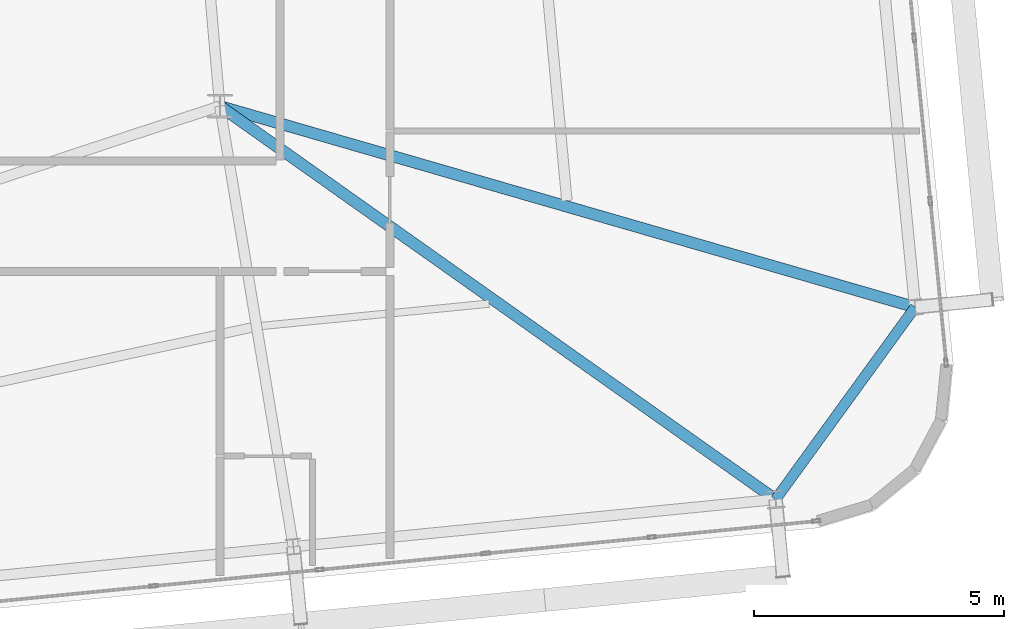
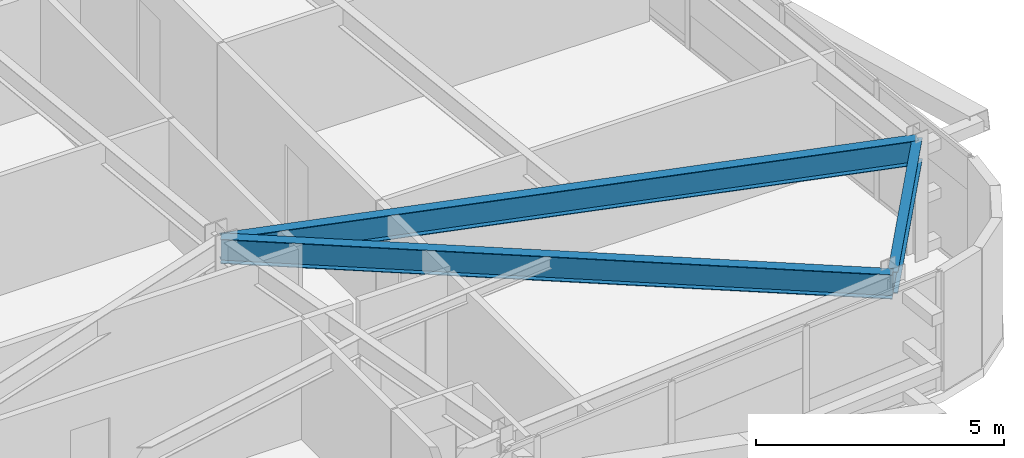
# One storey, part 21 of 52: 3 beams.
"""IFC4 building model written with IfcOpenShell, lengths in metres."""

from ifc_helpers import new_model, si_unit, direction, frame, origin, origin_2d, place, context, subcontext, project, spatial, i_section, extrude, source, transform, mapped, material, material_profile, profile_set, type_object, element, save


model = new_model("IFC4")

# Units and contexts
model_context = context("Model", 3, precision=1e-05, world=origin(), true_north=direction((0.0, 1.0)))
body_context = subcontext(model_context, "Body", "Model", "MODEL_VIEW")
ifc_project = project(units=[si_unit("LENGTHUNIT", "METRE"), si_unit("AREAUNIT", "SQUARE_METRE"), si_unit("VOLUMEUNIT", "CUBIC_METRE"), si_unit("PLANEANGLEUNIT", "RADIAN"), si_unit("MASSUNIT", "GRAM", prefix="KILO")], contexts=[model_context])

# Site, building, storey
site_placement = place(None, origin())
site = spatial("IfcSite", under=ifc_project, at=site_placement, CompositionType="ELEMENT")
building_placement = place(site_placement, origin())
building = spatial("IfcBuilding", under=site, at=building_placement, Name="Taldren Reach Tower", CompositionType="ELEMENT")
storey_placement = place(building_placement, frame((0.0, 0.0, 77.699951171875)))
storey = spatial("IfcBuildingStorey", under=building, at=storey_placement, Name="L23", CompositionType="ELEMENT", Elevation=77.699951171875)

# Beams
ifc_material = material(Name="Steel Gr 350 (350PLUS)", Category="steel")
ifc_material_profile_1 = material_profile(ifc_material, i_section(OverallWidth=0.208984375, OverallDepth=0.528076171875, WebThickness=0.009521484375, FlangeThickness=0.01318359375, at=origin_2d()), Name="530UB82.0")
ifc_profile_set_1 = profile_set([ifc_material_profile_1], Name="Steel Gr 350 (350PLUS)")
beam_type_1 = type_object("IfcBeamType", Name="SP-UB530B", PredefinedType="SPANDREL", material=ifc_profile_set_1)
shared_shape_1 = source(origin(), body_context, "Body", "SweptSolid", [
    extrude(i_section(OverallWidth=0.208984375, OverallDepth=0.528076171875, WebThickness=0.009521484375, FlangeThickness=0.01318359375, at=origin_2d()), origin(), (0.0, 0.0, 1.0), 4.74609375),
])
beam_1_placement = place(storey_placement, frame((63.103271484375, 4.64306640625, 2.666015625), z_axis=(0.58750777154, 0.809218523255, 0.0), x_axis=(-0.809218523255, 0.58750777154, 0.0)))
element("IfcBeam", 1, at=beam_1_placement, inside=storey, type_object=beam_type_1, Name="Perimeter spandrel B2 S6-E1 L23", PredefinedType="SPANDREL", context=body_context, shape_type="MappedRepresentation", body=[
    mapped(shared_shape_1, transform((0.0, 0.0, 0.0), scale=1.0)),
])
ifc_material_profile_2 = material_profile(ifc_material, i_section(OverallWidth=0.22802734375, OverallDepth=0.60205078125, WebThickness=0.010498046875, FlangeThickness=0.014892578125, at=origin_2d()), Name="610UB101")
ifc_profile_set_2 = profile_set([ifc_material_profile_2], Name="Steel Gr 350 (350PLUS)")
beam_type_2 = type_object("IfcBeamType", Name="BM-UB610B", PredefinedType="BEAM", material=ifc_profile_set_2)
shared_shape_2 = source(origin(), body_context, "Body", "SweptSolid", [
    extrude(i_section(OverallWidth=0.22802734375, OverallDepth=0.60205078125, WebThickness=0.010498046875, FlangeThickness=0.014892578125, at=origin_2d()), origin(), (0.0, 0.0, 1.0), 13.60205078125),
])
beam_2_placement = place(storey_placement, frame((52.0, 12.5, 2.629150390625), z_axis=(0.816297773281, -0.577631323022, 0.0), x_axis=(0.577631323022, 0.816297773281, 0.0)))
element("IfcBeam", 2, at=beam_2_placement, inside=storey, type_object=beam_type_2, Name="Primary floor girder B2-S6 L23", PredefinedType="BEAM", context=body_context, shape_type="MappedRepresentation", body=[
    mapped(shared_shape_2, transform((0.0, 0.0, 0.0), scale=1.0)),
])
shared_shape_3 = source(origin(), body_context, "Body", "SweptSolid", [
    extrude(i_section(OverallWidth=0.22802734375, OverallDepth=0.60205078125, WebThickness=0.010498046875, FlangeThickness=0.014892578125, at=origin_2d()), origin(), (0.0, 0.0, 1.0), 14.46044921875),
])
beam_3_placement = place(storey_placement, frame((52.0, 12.5, 2.629150390625), z_axis=(0.960654638583, -0.277745684698, 0.0), x_axis=(0.277745684698, 0.960654638583, 0.0)))
element("IfcBeam", 3, at=beam_3_placement, inside=storey, type_object=beam_type_2, Name="Primary floor girder B2-E1 L23", PredefinedType="BEAM", context=body_context, shape_type="MappedRepresentation", body=[
    mapped(shared_shape_3, transform((0.0, 0.0, 0.0), scale=1.0)),
])

save(model, "model.ifc")
